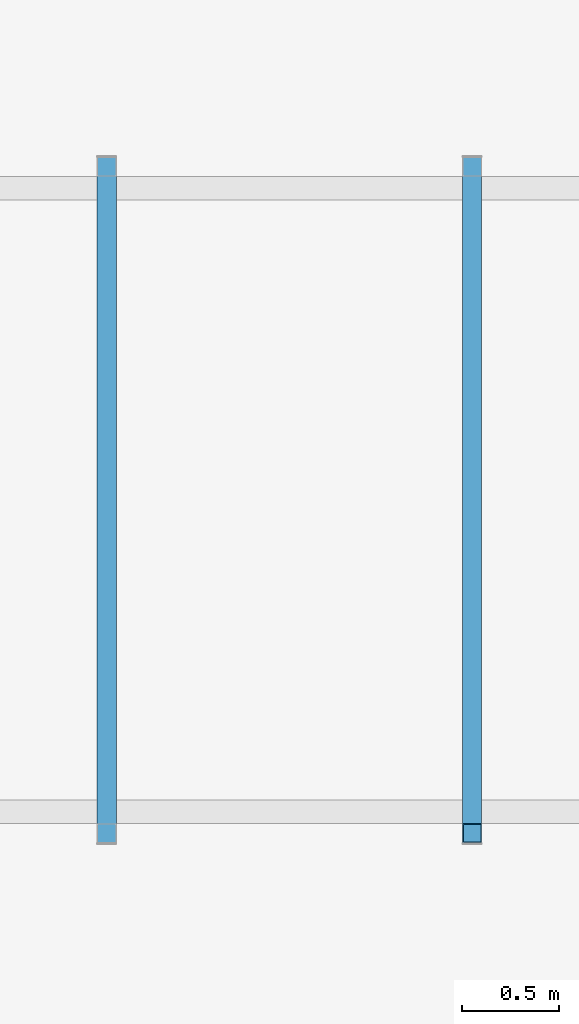
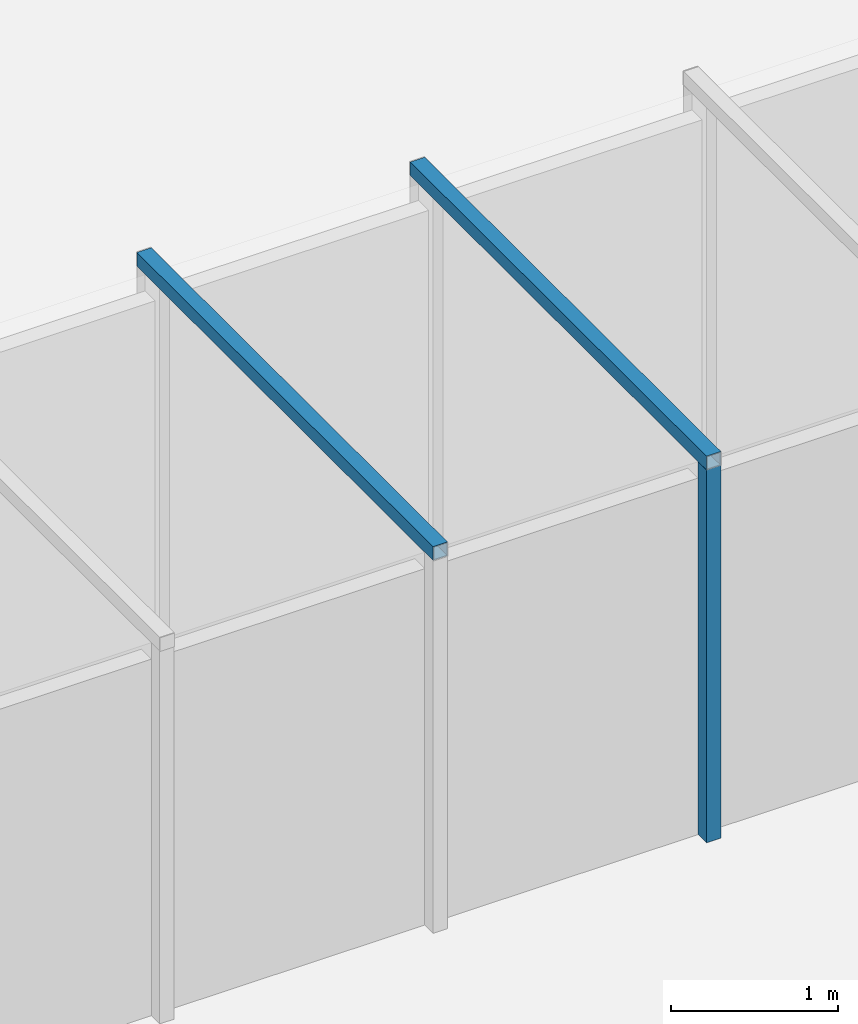
# One storey, part 12 of 85: 3 members, 1 element without a shape of its own.
"""IFC4 building model written with IfcOpenShell, lengths in metres."""

import ifcopenshell
import ifcopenshell.guid

model = None  # the IFC model being written
_history = None  # IfcOwnerHistory: only IFC2X3 demands one
_inside = {}  # id of a spatial element -> (the spatial element, [elements in it])
_under = {}  # id of a project, library or spatial element -> (it, [spatial elements below it])
_declared = {}  # id of a project -> (the project, [libraries it declares])
_typed = {}  # id of a type object -> (the type object, [elements of that type])
_made_of = {}  # id of a material, layer set ... -> (it, [elements and type objects made of it])


def new_model(schema):
    """Start an empty IFC model of exactly this schema.

    Asked for "IFC4X3", IfcOpenShell would pick the latest addendum, in which some entities
    have other attributes; the version numbers below select the first issue.
    IFC2X3 requires an IfcOwnerHistory on every rooted entity: one is made here for all.
    """
    global model, _history
    if schema == "IFC4X3":
        model = ifcopenshell.file(schema_version=(4, 3, 0, 0))
    else:
        model = ifcopenshell.file(schema=schema)
    _inside.clear()
    _under.clear()
    _declared.clear()
    _typed.clear()
    _made_of.clear()
    _history = None
    if model.schema == "IFC2X3":
        org = make("IfcOrganization", Name="unknown")
        user = make(
            "IfcPersonAndOrganization",
            ThePerson=make("IfcPerson", FamilyName="unknown"),
            TheOrganization=org,
        )
        app = make(
            "IfcApplication",
            ApplicationDeveloper=org,
            Version="unknown",
            ApplicationFullName="unknown",
            ApplicationIdentifier="unknown",
        )
        _history = make(
            "IfcOwnerHistory",
            OwningUser=user,
            OwningApplication=app,
            ChangeAction="ADDED",
            CreationDate=0,
        )
    return model


def make(cls, **values):
    """One entity of the class cls with the attributes given. An attribute that is None is left unset."""
    return model.create_entity(
        cls, **{name: value for name, value in values.items() if value is not None}
    )


def rooted(cls, **values):
    """An entity with a GlobalId (a new one), such as an element, a storey or a relation."""
    return make(cls, GlobalId=ifcopenshell.guid.new(), OwnerHistory=_history, **values)


def si_unit(unit_type, name, prefix=None):
    """IfcSIUnit, for example si_unit("LENGTHUNIT", "METRE", prefix="MILLI")."""
    return make("IfcSIUnit", UnitType=unit_type, Prefix=prefix, Name=name)


def assignment(units):
    """IfcUnitAssignment: the units of a project."""
    return None if units is None else make("IfcUnitAssignment", Units=units)


def point(xyz):
    """IfcCartesianPoint."""
    return None if xyz is None else make("IfcCartesianPoint", Coordinates=xyz)


def direction(xyz):
    """IfcDirection."""
    return None if xyz is None else make("IfcDirection", DirectionRatios=xyz)


def frame(location, z_axis=None, x_axis=None):
    """IfcAxis2Placement3D, a coordinate frame: its origin and axes. An axis left out is left unset."""
    return make(
        "IfcAxis2Placement3D",
        Location=point(location),
        Axis=direction(z_axis),
        RefDirection=direction(x_axis),
    )


def frame_2d(location, x_axis=None):
    """IfcAxis2Placement2D, a coordinate frame in the plane: its origin and x axis."""
    return make(
        "IfcAxis2Placement2D", Location=point(location), RefDirection=direction(x_axis)
    )


def origin():
    """The frame at (0, 0, 0) with its axes left unset."""
    return frame((0.0, 0.0, 0.0))


def origin_2d():
    """The frame at (0, 0) in the plane with its x axis left unset."""
    return frame_2d((0.0, 0.0))


def place(relative_to, where):
    """IfcLocalPlacement: puts the frame where relative to a parent placement (None: the world)."""
    return make(
        "IfcLocalPlacement", PlacementRelTo=relative_to, RelativePlacement=where
    )


def context(
    kind, dimensions, precision=None, world=None, true_north=None, identifier=None
):
    """IfcGeometricRepresentationContext, for example the 3D "Model" context."""
    return make(
        "IfcGeometricRepresentationContext",
        ContextIdentifier=identifier,
        ContextType=kind,
        CoordinateSpaceDimension=dimensions,
        Precision=precision,
        WorldCoordinateSystem=world,
        TrueNorth=true_north,
    )


def subcontext(parent, identifier, kind, view, scale=None):
    """IfcGeometricRepresentationSubContext, for example "Body" below "Model"."""
    return make(
        "IfcGeometricRepresentationSubContext",
        ContextIdentifier=identifier,
        ContextType=kind,
        ParentContext=parent,
        TargetScale=scale,
        TargetView=view,
    )


def project(units=None, contexts=None):
    """IfcProject with its units and contexts."""
    return rooted(
        "IfcProject",
        Name="project",
        RepresentationContexts=contexts,
        UnitsInContext=assignment(units),
    )


def spatial(cls, under=None, at=None, **own):
    """A site, building, storey or space (cls), placed at a placement, below another one or the project."""
    s = rooted(cls, ObjectPlacement=at, **own)
    if under is not None:
        _under.setdefault(under.id(), (under, []))[1].append(s)
    return s


def profile(cls, at=None, kind="AREA", **sizes):
    """A parametric profile (cls). Its sizes go by their IFC names, for example OverallWidth=200.0."""
    return make(cls, ProfileType=kind, Position=at, **sizes)


def hollow_rectangle(**sizes):
    """IfcRectangleHollowProfileDef."""
    return profile("IfcRectangleHollowProfileDef", **sizes)


def extrude(swept, where, along, depth):
    """IfcExtrudedAreaSolid: the profile swept, set in the frame where, extruded along a direction by depth."""
    return make(
        "IfcExtrudedAreaSolid",
        SweptArea=swept,
        Position=where,
        ExtrudedDirection=direction(along),
        Depth=depth,
    )


def shape(context_of_items, identifier, shape_type, items):
    """IfcShapeRepresentation: the items that make up one representation, for example the "Body"."""
    return make(
        "IfcShapeRepresentation",
        ContextOfItems=context_of_items,
        RepresentationIdentifier=identifier,
        RepresentationType=shape_type,
        Items=items,
    )


def material(Name=None, Category=None):
    """IfcMaterial."""
    return make("IfcMaterial", Name=Name, Category=Category)


def material_profile(
    of_material, cross_section, Name=None, Category=None, Priority=None
):
    """IfcMaterialProfile: a cross section and its material."""
    return make(
        "IfcMaterialProfile",
        Name=Name,
        Material=of_material,
        Profile=cross_section,
        Priority=Priority,
        Category=Category,
    )


def profile_set(profiles, Name=None, composite=None):
    """IfcMaterialProfileSet."""
    return make(
        "IfcMaterialProfileSet",
        Name=Name,
        MaterialProfiles=profiles,
        CompositeProfile=composite,
    )


def made_of(thing, what):
    """Note that an element or type object is made of a material, layer set ...; save() writes the relation."""
    if what is not None:
        _made_of.setdefault(what.id(), (what, []))[1].append(thing)
    return thing


def type_object(cls, material=None, **own):
    """A type object (cls), such as IfcWallType, which elements share."""
    return made_of(rooted(cls, **own), material)


def element(
    cls,
    number,
    at=None,
    inside=None,
    cuts=None,
    type_object=None,
    material=None,
    context=None,
    identifier="Body",
    shape_type=None,
    held_by="IfcProductDefinitionShape",
    body=None,
    shapes=None,
    **own,
):
    """One element of the class cls, such as IfcWall. Its Tag is "e" and its number.

    at: its placement. inside: the storey or other place that contains it. cuts: it is an
    opening in that element (IfcRelVoidsElement). A single representation is given by context,
    identifier, shape_type and body (its items); several are given by shapes. held_by: the class
    of the entity that holds the representations. save() writes the other relations.
    """
    e = rooted(cls, Tag="e%d" % number, ObjectPlacement=at, **own)
    if body is not None:
        shapes = [shape(context, identifier, shape_type, body)]
    if shapes is not None:
        e.Representation = make(held_by, Representations=shapes)
    if inside is not None:
        _inside.setdefault(inside.id(), (inside, []))[1].append(e)
    if cuts is not None:
        rooted(
            "IfcRelVoidsElement", RelatingBuildingElement=cuts, RelatedOpeningElement=e
        )
    if type_object is not None:
        _typed.setdefault(type_object.id(), (type_object, []))[1].append(e)
    return made_of(e, material)


def aggregate(whole, parts):
    """IfcRelAggregates: a whole, such as a stair, and the parts it consists of."""
    return rooted("IfcRelAggregates", RelatingObject=whole, RelatedObjects=parts)


def save(model, path):
    """Write the relations noted so far, then the file.

    IfcRelAggregates (storeys below a building ...), IfcRelContainedInSpatialStructure (elements
    in a storey), IfcRelDefinesByType, IfcRelAssociatesMaterial and IfcRelDeclares: one each for
    every whole, place, type object, material and project.
    """
    for whole, parts in _under.values():
        aggregate(whole, parts)
    for where, things in _inside.values():
        rooted(
            "IfcRelContainedInSpatialStructure",
            RelatedElements=things,
            RelatingStructure=where,
        )
    for kind, things in _typed.values():
        rooted("IfcRelDefinesByType", RelatedObjects=things, RelatingType=kind)
    for what, things in _made_of.values():
        rooted("IfcRelAssociatesMaterial", RelatedObjects=things, RelatingMaterial=what)
    for by, libraries in _declared.values():
        rooted("IfcRelDeclares", RelatingContext=by, RelatedDefinitions=libraries)
    model.write(path)


model = new_model("IFC4")

# Units and contexts
model_context = context("Model", 3, precision=1e-05, world=origin(), true_north=direction((0.0, 1.0)))
body_context = subcontext(model_context, "Body", "Model", "MODEL_VIEW")
ifc_project = project(units=[si_unit("LENGTHUNIT", "METRE"), si_unit("AREAUNIT", "SQUARE_METRE"), si_unit("VOLUMEUNIT", "CUBIC_METRE"), si_unit("PLANEANGLEUNIT", "RADIAN"), si_unit("MASSUNIT", "GRAM", prefix="KILO")], contexts=[model_context])

# Site, building, storey
site_placement = place(None, origin())
site = spatial("IfcSite", under=ifc_project, at=site_placement, CompositionType="ELEMENT")
building_placement = place(site_placement, origin())
building = spatial("IfcBuilding", under=site, at=building_placement, Name="Volute Hill Aquarium", CompositionType="ELEMENT")
storey_placement = place(building_placement, origin())
storey = spatial("IfcBuildingStorey", under=building, at=storey_placement, Name="L01", CompositionType="ELEMENT", Elevation=0.0)

# Curtain wall, members
ifc_material_1 = material(Name="Acrylic PMMA")
curtain_wall_type = type_object("IfcCurtainWallType", Name="Viewing tunnel acrylic assembly", PredefinedType="NOTDEFINED", material=ifc_material_1)
curtain_wall_placement = place(storey_placement, origin())
curtain_wall = element("IfcCurtainWall", 1, at=curtain_wall_placement, inside=storey, type_object=curtain_wall_type, Name="Viewing tunnel acrylic assembly", PredefinedType="NOTDEFINED")
ifc_material_2 = material(Name="Steel S355", Category="steel")
ifc_material_profile = material_profile(ifc_material_2, hollow_rectangle(XDim=0.10009765625, YDim=0.10009765625, WallThickness=0.0048828125, at=origin_2d()), Name="RHS 100x100x5")
ifc_profile_set = profile_set([ifc_material_profile], Name="Steel S355")
member_type = type_object("IfcMemberType", Name="Tunnel ring frame post RHS 100x100x5 S355", PredefinedType="USERDEFINED", material=ifc_profile_set)
member_1_placement = place(storey_placement, frame((3.7724609375, -1.77001953125, 2.77001953125), z_axis=(0.0, 1.0, 0.0), x_axis=(-1.0, 0.0, 0.0)))
member_1 = element("IfcMember", 2, at=member_1_placement, type_object=member_type, Name="Tunnel ring frame head 11", ObjectType="Tunnel frame", PredefinedType="USERDEFINED", context=body_context, shape_type="SweptSolid", body=[
    extrude(hollow_rectangle(XDim=0.10009765625, YDim=0.10009765625, WallThickness=0.0048828125, at=origin_2d()), origin(), (0.0, 0.0, 1.0), 3.5400390625),
])
member_2_placement = place(storey_placement, frame((5.65869140625, -1.719970703125, 0.0), z_axis=(0.0, 0.0, 1.0), x_axis=(1.0, 0.0, 0.0)))
member_2 = element("IfcMember", 3, at=member_2_placement, type_object=member_type, Name="Tunnel ring frame post 12", ObjectType="Tunnel frame", PredefinedType="USERDEFINED", context=body_context, shape_type="SweptSolid", body=[
    extrude(hollow_rectangle(XDim=0.10009765625, YDim=0.10009765625, WallThickness=0.0048828125, at=origin_2d()), origin(), (0.0, 0.0, 1.0), 2.719970703125),
])
member_3_placement = place(storey_placement, frame((5.65869140625, -1.77001953125, 2.77001953125), z_axis=(0.0, 1.0, 0.0), x_axis=(-1.0, 0.0, 0.0)))
member_3 = element("IfcMember", 4, at=member_3_placement, type_object=member_type, Name="Tunnel ring frame head 12", ObjectType="Tunnel frame", PredefinedType="USERDEFINED", context=body_context, shape_type="SweptSolid", body=[
    extrude(hollow_rectangle(XDim=0.10009765625, YDim=0.10009765625, WallThickness=0.0048828125, at=origin_2d()), origin(), (0.0, 0.0, 1.0), 3.5400390625),
])
aggregate(curtain_wall, [member_1, member_2, member_3])

save(model, "model.ifc")
